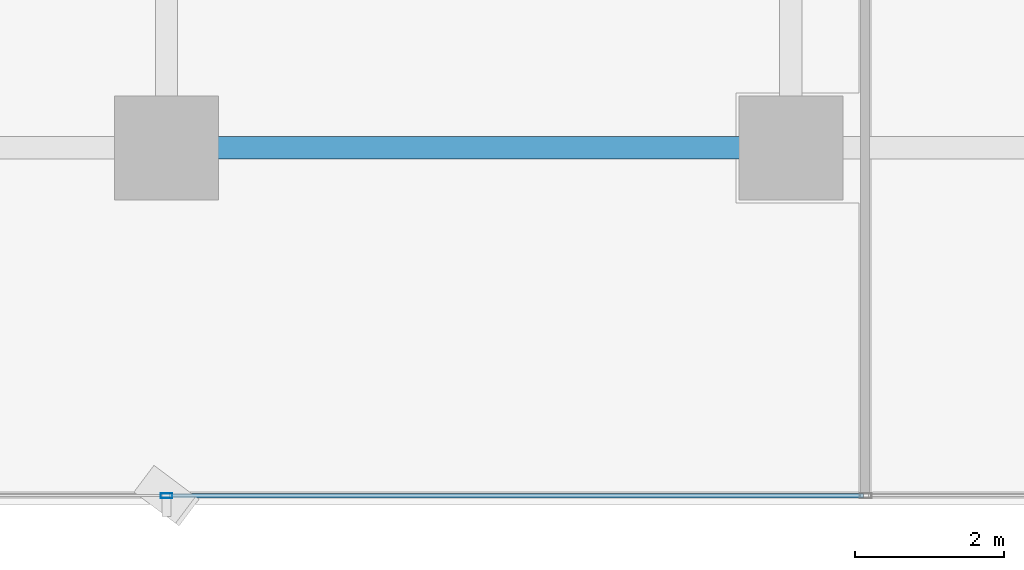
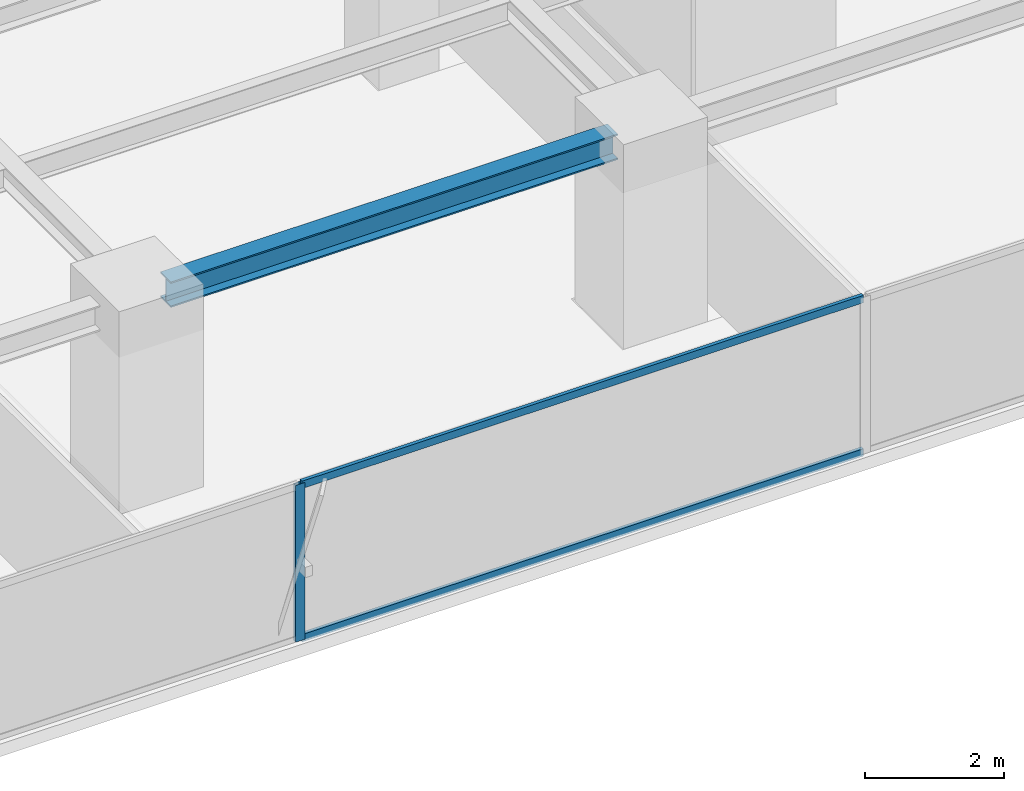
# One storey, part 5 of 27: 3 members, 1 beam, 1 element without a shape of its own.
"""IFC4 building model written with IfcOpenShell, lengths in metres."""

from ifc_helpers import new_model, si_unit, direction, frame, origin, origin_2d, place, context, subcontext, project, spatial, hollow_rectangle, i_section, extrude, source, transform, mapped, material, layer, layer_set, material_profile, profile_set, type_object, element, aggregate, save


model = new_model("IFC4")

# Units and contexts
model_context = context("Model", 3, precision=1e-05, world=origin(), true_north=direction((0.0, 1.0)))
body_context = subcontext(model_context, "Body", "Model", "MODEL_VIEW")
ifc_project = project(units=[si_unit("LENGTHUNIT", "METRE"), si_unit("AREAUNIT", "SQUARE_METRE"), si_unit("VOLUMEUNIT", "CUBIC_METRE"), si_unit("PLANEANGLEUNIT", "RADIAN"), si_unit("MASSUNIT", "GRAM", prefix="KILO")], contexts=[model_context])

# Site, building, storey
site_placement = place(None, origin())
site = spatial("IfcSite", under=ifc_project, at=site_placement, CompositionType="ELEMENT")
building_placement = place(site_placement, origin())
building = spatial("IfcBuilding", under=site, at=building_placement, Name="Sumidabori Civic Tower", CompositionType="ELEMENT")
storey_placement = place(building_placement, frame((0.0, 0.0, 142.39990234375)))
storey = spatial("IfcBuildingStorey", under=building, at=storey_placement, Name="L36", CompositionType="ELEMENT", Elevation=142.39990234375)

# Beam
ifc_material_1 = material(Name="Steel SN490", Category="steel")
ifc_material_profile_1 = material_profile(ifc_material_1, i_section(OverallWidth=0.300048828125, OverallDepth=0.449951171875, WebThickness=0.013916015625, FlangeThickness=0.02587890625, at=origin_2d()), Name="HE 450 B")
ifc_profile_set_1 = profile_set([ifc_material_profile_1], Name="Steel SN490")
beam_type = type_object("IfcBeamType", Name="BM-GIRD-450", PredefinedType="BEAM", material=ifc_profile_set_1)
shared_shape_1 = source(origin(), body_context, "Body", "SweptSolid", [
    extrude(i_section(OverallWidth=0.300048828125, OverallDepth=0.449951171875, WebThickness=0.013916015625, FlangeThickness=0.02587890625, at=origin_2d()), origin(), (0.0, 0.0, 1.0), 7.43994140625),
])
beam_placement = place(storey_placement, frame((0.47998046875, -18.0, 3.155029296875), z_axis=(1.0, 0.0, 0.0), x_axis=(0.0, 1.0, 0.0)))
element("IfcBeam", 1, at=beam_placement, inside=storey, type_object=beam_type, Name="Primary Girder L36 GX-03", PredefinedType="BEAM", context=body_context, shape_type="MappedRepresentation", body=[
    mapped(shared_shape_1, transform((0.0, 0.0, 0.0), x_axis=(1.0, 0.0, 0.0), y_axis=(0.0, 1.0, 0.0), z_axis=(0.0, 0.0, 1.0), scale=1.0)),
])

# Curtain wall, members
ifc_material_2 = material(Name="Anodised Bronze Aluminium AW-6063-T6", Category="aluminium")
ifc_layer = layer(ifc_material_2, 0.179931640625, Name="Anodised Bronze Aluminium AW-6063-T6")
ifc_layer_set = layer_set([ifc_layer], Name="Anodised Bronze Aluminium AW-6063-T6")
curtain_wall_type = type_object("IfcCurtainWallType", Name="CW-SYS-3", PredefinedType="NOTDEFINED", material=ifc_layer_set)
curtain_wall_placement = place(storey_placement, origin())
curtain_wall = element("IfcCurtainWall", 2, at=curtain_wall_placement, inside=storey, type_object=curtain_wall_type, Name="Curtain Wall CW:L36:R01", PredefinedType="NOTDEFINED")
ifc_material_profile_2 = material_profile(ifc_material_2, hollow_rectangle(XDim=0.06494140625, YDim=0.159912109375, WallThickness=0.0048828125, at=origin_2d()), Name="ALU MULLION 160x65")
ifc_profile_set_2 = profile_set([ifc_material_profile_2], Name="Anodised Bronze Aluminium AW-6063-T6")
member_type_1 = type_object("IfcMemberType", Name="CW-MUL-160", PredefinedType="MULLION", material=ifc_profile_set_2)
shared_shape_2 = source(origin(), body_context, "Body", "SweptSolid", [
    extrude(hollow_rectangle(XDim=0.06494140625, YDim=0.159912109375, WallThickness=0.0048828125, at=origin_2d()), origin(), (0.0, 0.0, 1.0), 2.760009765625),
])
member_1_placement = place(storey_placement, frame((0.0, -22.679931640625, 0.0), z_axis=(0.0, 0.0, 1.0), x_axis=(0.0, 1.0, 0.0)))
member_1 = element("IfcMember", 3, at=member_1_placement, type_object=member_type_1, Name="CW-3 mullion 3", PredefinedType="MULLION", context=body_context, shape_type="MappedRepresentation", body=[
    mapped(shared_shape_2, transform((0.0, 0.0, 0.0), x_axis=(1.0, 0.0, 0.0), y_axis=(0.0, 1.0, 0.0), z_axis=(0.0, 0.0, 1.0), scale=1.0)),
])
ifc_material_profile_3 = material_profile(ifc_material_2, hollow_rectangle(XDim=0.06005859375, YDim=0.1298828125, WallThickness=0.0048828125, at=origin_2d()), Name="ALU TRANSOM 130x60")
ifc_profile_set_3 = profile_set([ifc_material_profile_3], Name="Anodised Bronze Aluminium AW-6063-T6")
member_type_2 = type_object("IfcMemberType", Name="CW-TRN-130", PredefinedType="USERDEFINED", material=ifc_profile_set_3)
shared_shape_3 = source(origin(), body_context, "Body", "SweptSolid", [
    extrude(hollow_rectangle(XDim=0.06005859375, YDim=0.1298828125, WallThickness=0.0048828125, at=origin_2d()), origin(), (0.0, 0.0, 1.0), 9.344970703125),
])
member_2_placement = place(storey_placement, frame((0.032470703125, -22.679931640625, 0.030029296875), z_axis=(1.0, 0.0, 0.0), x_axis=(0.0, 1.0, 0.0)))
member_2 = element("IfcMember", 4, at=member_2_placement, type_object=member_type_2, Name="CW-3 transom 3.1", ObjectType="TRANSOM", PredefinedType="USERDEFINED", context=body_context, shape_type="MappedRepresentation", body=[
    mapped(shared_shape_3, transform((0.0, 0.0, 0.0), x_axis=(1.0, 0.0, 0.0), y_axis=(0.0, 1.0, 0.0), z_axis=(0.0, 0.0, 1.0), scale=1.0)),
])
member_3_placement = place(storey_placement, frame((0.032470703125, -22.679931640625, 2.72998046875), z_axis=(1.0, 0.0, 0.0), x_axis=(0.0, 1.0, 0.0)))
member_3 = element("IfcMember", 5, at=member_3_placement, type_object=member_type_2, Name="CW-3 transom 3.2", ObjectType="TRANSOM", PredefinedType="USERDEFINED", context=body_context, shape_type="MappedRepresentation", body=[
    mapped(shared_shape_3, transform((0.0, 0.0, 0.0), x_axis=(1.0, 0.0, 0.0), y_axis=(0.0, 1.0, 0.0), z_axis=(0.0, 0.0, 1.0), scale=1.0)),
])
aggregate(curtain_wall, [member_1, member_2, member_3])

save(model, "model.ifc")
